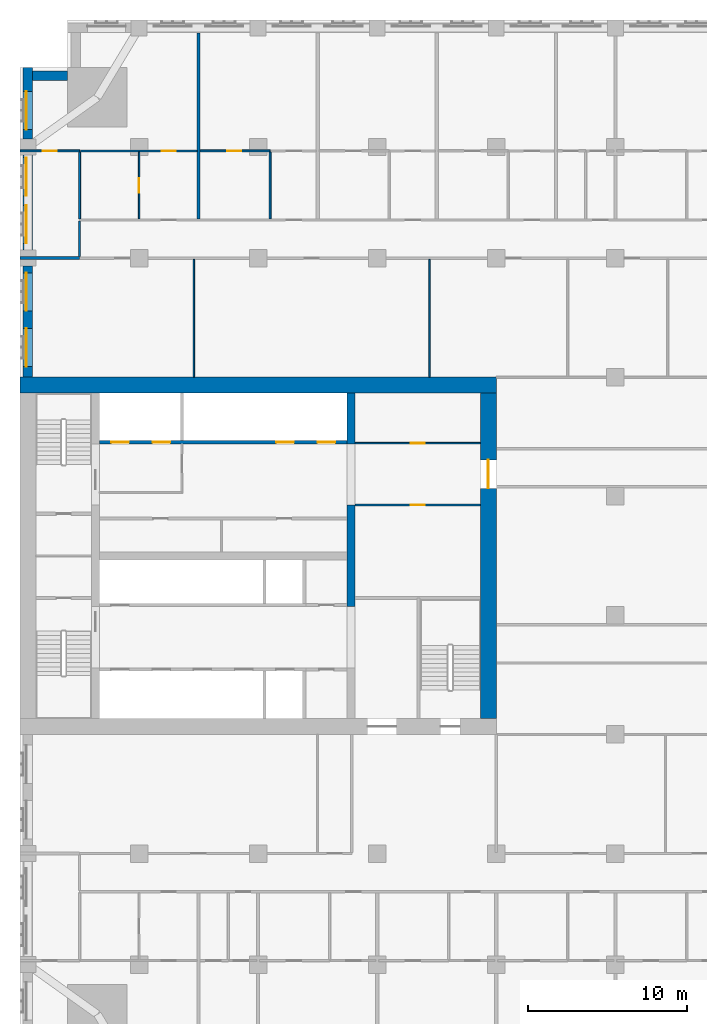
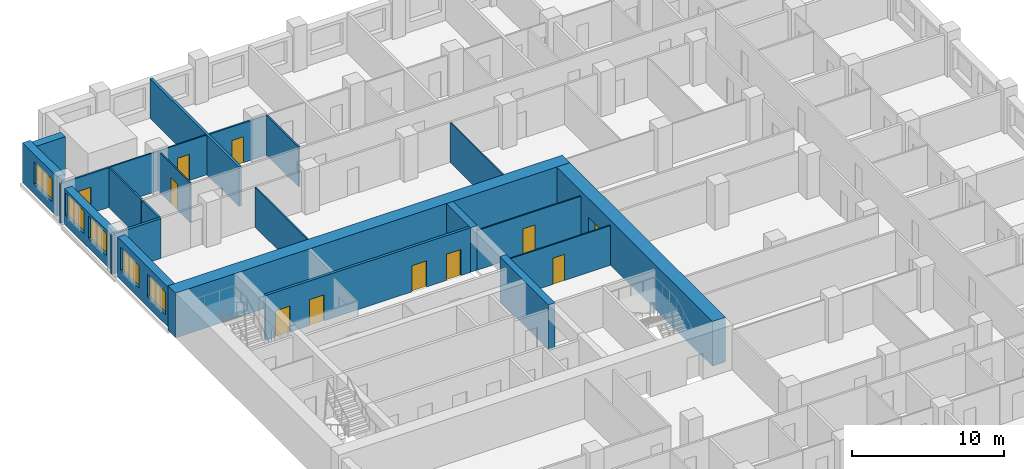
# One storey, part 8 of 14: 22 walls, 11 doors, 5 windows, 16 openings.
"""IFC4 building model written with IfcOpenShell, lengths in metres."""

from ifc_helpers import new_model, si_unit, direction, frame, frame_2d, origin, place, context, subcontext, project, spatial, rectangle, extrude, material, layer, layer_set, type_object, element, fill, save


model = new_model("IFC4")

# Units and contexts
model_context = context("Model", 3, precision=1e-05, world=origin(), true_north=direction((0.0, 1.0)))
body_context = subcontext(model_context, "Body", "Model", "MODEL_VIEW")
ifc_project = project(units=[si_unit("LENGTHUNIT", "METRE"), si_unit("AREAUNIT", "SQUARE_METRE"), si_unit("VOLUMEUNIT", "CUBIC_METRE"), si_unit("PLANEANGLEUNIT", "RADIAN"), si_unit("MASSUNIT", "GRAM", prefix="KILO")], contexts=[model_context])

# Site, building, storey
site_placement = place(None, origin())
site = spatial("IfcSite", under=ifc_project, at=site_placement, CompositionType="ELEMENT")
building_placement = place(site_placement, origin())
building = spatial("IfcBuilding", under=site, at=building_placement, Name="Tamorin Gate", CompositionType="ELEMENT")
storey_placement = place(building_placement, frame((0.0, 0.0, 115.10009765625)))
storey = spatial("IfcBuildingStorey", under=building, at=storey_placement, Name="L28", CompositionType="ELEMENT", Elevation=115.10009765625)

# Wall
ifc_material_1 = material(Name="Precast concrete C40/50", Category="concrete")
ifc_layer_1 = layer(ifc_material_1, 0.60009765625)
ifc_layer_set_1 = layer_set([ifc_layer_1], Name="Precast concrete C40/50")
wall_type_1 = type_object("IfcWallType", Name="Board-marked concrete facade panel 600", PredefinedType="SOLIDWALL", material=ifc_layer_set_1)
wall_1_placement = place(storey_placement, frame((33.0, 101.5, 0.0), z_axis=(0.0, 0.0, 1.0), x_axis=(-1.0, 0.0, 0.0)))
element("IfcWall", 1, at=wall_1_placement, inside=storey, type_object=wall_type_1, Name="Facade panel", PredefinedType="SOLIDWALL", context=body_context, shape_type="SweptSolid", body=[
    extrude(rectangle(XDim=2.199951171875, YDim=0.60009765625, at=frame_2d((1.10009765625, 0.0))), origin(), (0.0, 0.0, 1.0), 3.199951171875),
])

# Wall, opening, window
wall_2_placement = place(storey_placement, frame((30.5, 102.0, 0.0), z_axis=(0.0, 0.0, 1.0), x_axis=(0.0, -1.0, 0.0)))
wall_2 = element("IfcWall", 2, at=wall_2_placement, inside=storey, type_object=wall_type_1, Name="Facade panel", PredefinedType="SOLIDWALL", context=body_context, shape_type="SweptSolid", body=[
    extrude(rectangle(XDim=4.5, YDim=0.60009765625, at=frame_2d((2.25, 0.0))), origin(), (0.0, 0.0, 1.0), 3.199951171875),
])
opening_1_placement = place(wall_2_placement, frame((1.5, 0.0, 0.800048828125)))
opening_1 = element("IfcOpeningElement", 3, at=opening_1_placement, cuts=wall_2, Name="Opening WN1", PredefinedType="OPENING", context=body_context, shape_type="SweptSolid", body=[
    extrude(rectangle(XDim=2.39990234375, YDim=1.800048828125, at=frame_2d((1.199951171875, 0.89990234375))), frame((0.0, 0.31005859375, 0.0), z_axis=(0.0, -1.0, 0.0), x_axis=(1.0, 0.0, 0.0)), (0.0, 0.0, 1.0), 0.6201171875),
])
ifc_material_2 = material(Name="Clear glass in aluminium frame", Category="aluminium")
window_type = type_object("IfcWindowType", Name="Deep-set window 2400x1800", PartitioningType="SINGLE_PANEL", PredefinedType="WINDOW", material=ifc_material_2)
window_1_placement = place(opening_1_placement, origin())
window_1 = element("IfcWindow", 4, at=window_1_placement, inside=storey, type_object=window_type, Name="Deep-set window", OverallHeight=1.800048828125, OverallWidth=2.39990234375, PartitioningType="SINGLE_PANEL", PredefinedType="WINDOW", context=body_context, shape_type="SweptSolid", body=[
    extrude(rectangle(XDim=2.39990234375, YDim=1.800048828125, at=frame_2d((1.199951171875, 0.89990234375))), frame((0.0, -0.070068359375, 0.0), z_axis=(0.0, -1.0, 0.0), x_axis=(1.0, 0.0, 0.0)), (0.0, 0.0, 1.0), 0.06005859375),
])
fill(opening_1, window_1)

# Wall, openings, windows
wall_3_placement = place(storey_placement, frame((30.5, 96.5, 0.0), z_axis=(0.0, 0.0, 1.0), x_axis=(0.0, -1.0, 0.0)))
wall_3 = element("IfcWall", 5, at=wall_3_placement, inside=storey, type_object=wall_type_1, Name="Facade panel", PredefinedType="SOLIDWALL", context=body_context, shape_type="SweptSolid", body=[
    extrude(rectangle(XDim=6.0, YDim=0.60009765625, at=frame_2d((3.0, 0.0))), origin(), (0.0, 0.0, 1.0), 2.849853515625),
])
opening_2_placement = place(wall_3_placement, frame((3.175048828125, 0.0, 0.800048828125)))
opening_2 = element("IfcOpeningElement", 6, at=opening_2_placement, cuts=wall_3, Name="Opening WN1", PredefinedType="OPENING", context=body_context, shape_type="SweptSolid", body=[
    extrude(rectangle(XDim=2.39990234375, YDim=1.800048828125, at=frame_2d((1.199951171875, 0.89990234375))), frame((0.0, 0.31005859375, 0.0), z_axis=(0.0, -1.0, 0.0), x_axis=(1.0, 0.0, 0.0)), (0.0, 0.0, 1.0), 0.6201171875),
])
opening_3_placement = place(wall_3_placement, frame((0.175048828125, 0.0, 0.800048828125)))
opening_3 = element("IfcOpeningElement", 7, at=opening_3_placement, cuts=wall_3, Name="Opening WN1", PredefinedType="OPENING", context=body_context, shape_type="SweptSolid", body=[
    extrude(rectangle(XDim=2.39990234375, YDim=1.800048828125, at=frame_2d((1.199951171875, 0.89990234375))), frame((0.0, 0.31005859375, 0.0), z_axis=(0.0, -1.0, 0.0), x_axis=(1.0, 0.0, 0.0)), (0.0, 0.0, 1.0), 0.6201171875),
])
window_2_placement = place(opening_2_placement, origin())
window_2 = element("IfcWindow", 8, at=window_2_placement, inside=storey, type_object=window_type, Name="Deep-set window", OverallHeight=1.800048828125, OverallWidth=2.39990234375, PartitioningType="SINGLE_PANEL", PredefinedType="WINDOW", context=body_context, shape_type="SweptSolid", body=[
    extrude(rectangle(XDim=2.39990234375, YDim=1.800048828125, at=frame_2d((1.199951171875, 0.89990234375))), frame((0.0, -0.070068359375, 0.0), z_axis=(0.0, -1.0, 0.0), x_axis=(1.0, 0.0, 0.0)), (0.0, 0.0, 1.0), 0.06005859375),
])
fill(opening_2, window_2)
window_3_placement = place(opening_3_placement, origin())
window_3 = element("IfcWindow", 9, at=window_3_placement, inside=storey, type_object=window_type, Name="Deep-set window", OverallHeight=1.800048828125, OverallWidth=2.39990234375, PartitioningType="SINGLE_PANEL", PredefinedType="WINDOW", context=body_context, shape_type="SweptSolid", body=[
    extrude(rectangle(XDim=2.39990234375, YDim=1.800048828125, at=frame_2d((1.199951171875, 0.89990234375))), frame((0.0, -0.070068359375, 0.0), z_axis=(0.0, -1.0, 0.0), x_axis=(1.0, 0.0, 0.0)), (0.0, 0.0, 1.0), 0.06005859375),
])
fill(opening_3, window_3)

wall_4_placement = place(storey_placement, frame((30.5, 89.5, 0.0), z_axis=(0.0, 0.0, 1.0), x_axis=(0.0, -1.0, 0.0)))
wall_4 = element("IfcWall", 10, at=wall_4_placement, inside=storey, type_object=wall_type_1, Name="Facade panel", PredefinedType="SOLIDWALL", context=body_context, shape_type="SweptSolid", body=[
    extrude(rectangle(XDim=7.0, YDim=0.60009765625, at=frame_2d((3.5, 0.0))), origin(), (0.0, 0.0, 1.0), 3.199951171875),
])
opening_4_placement = place(wall_4_placement, frame((3.925048828125, 0.0, 0.800048828125)))
opening_4 = element("IfcOpeningElement", 11, at=opening_4_placement, cuts=wall_4, Name="Opening WN1", PredefinedType="OPENING", context=body_context, shape_type="SweptSolid", body=[
    extrude(rectangle(XDim=2.39990234375, YDim=1.800048828125, at=frame_2d((1.199951171875, 0.89990234375))), frame((0.0, 0.31005859375, 0.0), z_axis=(0.0, -1.0, 0.0), x_axis=(1.0, 0.0, 0.0)), (0.0, 0.0, 1.0), 0.6201171875),
])
opening_5_placement = place(wall_4_placement, frame((0.425048828125, 0.0, 0.800048828125)))
opening_5 = element("IfcOpeningElement", 12, at=opening_5_placement, cuts=wall_4, Name="Opening WN1", PredefinedType="OPENING", context=body_context, shape_type="SweptSolid", body=[
    extrude(rectangle(XDim=2.39990234375, YDim=1.800048828125, at=frame_2d((1.199951171875, 0.89990234375))), frame((0.0, 0.31005859375, 0.0), z_axis=(0.0, -1.0, 0.0), x_axis=(1.0, 0.0, 0.0)), (0.0, 0.0, 1.0), 0.6201171875),
])
window_4_placement = place(opening_4_placement, origin())
window_4 = element("IfcWindow", 13, at=window_4_placement, inside=storey, type_object=window_type, Name="Deep-set window", OverallHeight=1.800048828125, OverallWidth=2.39990234375, PartitioningType="SINGLE_PANEL", PredefinedType="WINDOW", context=body_context, shape_type="SweptSolid", body=[
    extrude(rectangle(XDim=2.39990234375, YDim=1.800048828125, at=frame_2d((1.199951171875, 0.89990234375))), frame((0.0, -0.070068359375, 0.0), z_axis=(0.0, -1.0, 0.0), x_axis=(1.0, 0.0, 0.0)), (0.0, 0.0, 1.0), 0.06005859375),
])
fill(opening_4, window_4)
window_5_placement = place(opening_5_placement, origin())
window_5 = element("IfcWindow", 14, at=window_5_placement, inside=storey, type_object=window_type, Name="Deep-set window", OverallHeight=1.800048828125, OverallWidth=2.39990234375, PartitioningType="SINGLE_PANEL", PredefinedType="WINDOW", context=body_context, shape_type="SweptSolid", body=[
    extrude(rectangle(XDim=2.39990234375, YDim=1.800048828125, at=frame_2d((1.199951171875, 0.89990234375))), frame((0.0, -0.070068359375, 0.0), z_axis=(0.0, -1.0, 0.0), x_axis=(1.0, 0.0, 0.0)), (0.0, 0.0, 1.0), 0.06005859375),
])
fill(opening_5, window_5)

# Walls
ifc_material_3 = material(Name="Gypsum board partition")
ifc_layer_2 = layer(ifc_material_3, 0.14990234375)
ifc_layer_set_2 = layer_set([ifc_layer_2], Name="Corridor wall 150")
wall_type_2 = type_object("IfcWallType", Name="Corridor wall 150", PredefinedType="PARTITIONING", material=ifc_layer_set_2)
wall_5_placement = place(storey_placement, frame((33.75, 90.10009765625, 0.0), z_axis=(0.0, 0.0, 1.0), x_axis=(0.0, 1.0, 0.0)))
element("IfcWall", 15, at=wall_5_placement, inside=storey, type_object=wall_type_2, Name="Corridor wall 150", PredefinedType="PARTITIONING", context=body_context, shape_type="SweptSolid", body=[
    extrude(rectangle(XDim=2.224853515625, YDim=0.14990234375, at=frame_2d((1.1123046875, 0.0))), origin(), (0.0, 0.0, 1.0), 3.199951171875),
])
ifc_layer_3 = layer(ifc_material_3, 0.199951171875)
ifc_layer_set_3 = layer_set([ifc_layer_3], Name="Demising wall 200")
wall_type_3 = type_object("IfcWallType", Name="Demising wall 200", PredefinedType="PARTITIONING", material=ifc_layer_set_3)
wall_6_placement = place(storey_placement, frame((30.0, 90.0, 0.0), z_axis=(0.0, 0.0, 1.0), x_axis=(1.0, 0.0, 0.0)))
element("IfcWall", 16, at=wall_6_placement, inside=storey, type_object=wall_type_3, Name="Demising wall 200", PredefinedType="PARTITIONING", context=body_context, shape_type="SweptSolid", body=[
    extrude(rectangle(XDim=3.75, YDim=0.199951171875, at=frame_2d((1.875, 0.0))), origin(), (0.0, 0.0, 1.0), 3.199951171875),
])
wall_7_placement = place(storey_placement, frame((41.25, 92.47509765625, 0.0), z_axis=(0.0, 0.0, 1.0), x_axis=(0.0, 1.0, 0.0)))
element("IfcWall", 17, at=wall_7_placement, inside=storey, type_object=wall_type_3, Name="Demising wall 200", PredefinedType="PARTITIONING", context=body_context, shape_type="SweptSolid", body=[
    extrude(rectangle(XDim=11.71484375, YDim=0.199951171875, at=frame_2d((5.857421875, 0.0))), origin(), (0.0, 0.0, 1.0), 3.199951171875),
])

# Wall, openings, doors
ifc_material_4 = material(Name="Concrete C32/40", Category="concrete")
ifc_layer_4 = layer(ifc_material_4, 0.199951171875)
ifc_layer_set_4 = layer_set([ifc_layer_4], Name="Lift lobby face wall 200 EI 120")
wall_type_4 = type_object("IfcWallType", Name="Lift lobby face wall 200 EI 120", PredefinedType="SOLIDWALL", material=ifc_layer_set_4)
wall_8_placement = place(storey_placement, frame((35.0, 78.39990234375, 0.0), z_axis=(0.0, 0.0, 1.0), x_axis=(1.0, 0.0, 0.0)))
wall_8 = element("IfcWall", 18, at=wall_8_placement, inside=storey, type_object=wall_type_4, Name="Lift lobby face wall", PredefinedType="SOLIDWALL", context=body_context, shape_type="SweptSolid", body=[
    extrude(rectangle(XDim=15.60009765625, YDim=0.199951171875, at=frame_2d((7.800048828125, 0.0))), origin(), (0.0, 0.0, 1.0), 3.599853515625),
])
opening_6_placement = place(wall_8_placement, frame((0.75, 0.0, 0.0)))
opening_6 = element("IfcOpeningElement", 19, at=opening_6_placement, cuts=wall_8, Name="Opening LD17", PredefinedType="OPENING", context=body_context, shape_type="SweptSolid", body=[
    extrude(rectangle(XDim=1.10009765625, YDim=2.10009765625, at=frame_2d((0.550048828125, 1.050048828125))), frame((0.0, 0.10986328125, 0.0), z_axis=(0.0, -1.0, 0.0), x_axis=(1.0, 0.0, 0.0)), (0.0, 0.0, 1.0), 0.219970703125),
])
opening_7_placement = place(wall_8_placement, frame((3.35009765625, 0.0, 0.0)))
opening_7 = element("IfcOpeningElement", 20, at=opening_7_placement, cuts=wall_8, Name="Opening LD18", PredefinedType="OPENING", context=body_context, shape_type="SweptSolid", body=[
    extrude(rectangle(XDim=1.10009765625, YDim=2.10009765625, at=frame_2d((0.550048828125, 1.050048828125))), frame((0.0, 0.10986328125, 0.0), z_axis=(0.0, -1.0, 0.0), x_axis=(1.0, 0.0, 0.0)), (0.0, 0.0, 1.0), 0.219970703125),
])
opening_8_placement = place(wall_8_placement, frame((11.14990234375, 0.0, 0.0)))
opening_8 = element("IfcOpeningElement", 21, at=opening_8_placement, cuts=wall_8, Name="Opening LD21", PredefinedType="OPENING", context=body_context, shape_type="SweptSolid", body=[
    extrude(rectangle(XDim=1.10009765625, YDim=2.10009765625, at=frame_2d((0.550048828125, 1.050048828125))), frame((0.0, 0.10986328125, 0.0), z_axis=(0.0, -1.0, 0.0), x_axis=(1.0, 0.0, 0.0)), (0.0, 0.0, 1.0), 0.219970703125),
])
opening_9_placement = place(wall_8_placement, frame((13.75, 0.0, 0.0)))
opening_9 = element("IfcOpeningElement", 22, at=opening_9_placement, cuts=wall_8, Name="Opening LD22", PredefinedType="OPENING", context=body_context, shape_type="SweptSolid", body=[
    extrude(rectangle(XDim=1.10009765625, YDim=2.10009765625, at=frame_2d((0.550048828125, 1.050048828125))), frame((0.0, 0.10986328125, 0.0), z_axis=(0.0, -1.0, 0.0), x_axis=(1.0, 0.0, 0.0)), (0.0, 0.0, 1.0), 0.219970703125),
])
ifc_material_5 = material(Name="Stainless steel sliding door", Category="steel")
door_type_1 = type_object("IfcDoorType", Name="Lift landing door 1100 x 2100 E 90", OperationType="DOUBLE_DOOR_SLIDING", PredefinedType="DOOR", material=ifc_material_5)
door_1_placement = place(opening_6_placement, origin())
door_1 = element("IfcDoor", 23, at=door_1_placement, inside=storey, type_object=door_type_1, Name="FF1 landing door", OperationType="DOUBLE_DOOR_SLIDING", OverallHeight=2.10009765625, OverallWidth=1.10009765625, PredefinedType="DOOR", context=body_context, shape_type="SweptSolid", body=[
    extrude(rectangle(XDim=1.10009765625, YDim=2.10009765625, at=frame_2d((0.550048828125, 1.050048828125))), frame((0.0, 0.02490234375, 0.0), z_axis=(0.0, -1.0, 0.0), x_axis=(1.0, 0.0, 0.0)), (0.0, 0.0, 1.0), 0.050048828125),
])
fill(opening_6, door_1)
door_2_placement = place(opening_7_placement, origin())
door_2 = element("IfcDoor", 24, at=door_2_placement, inside=storey, type_object=door_type_1, Name="FF2 landing door", OperationType="DOUBLE_DOOR_SLIDING", OverallHeight=2.10009765625, OverallWidth=1.10009765625, PredefinedType="DOOR", context=body_context, shape_type="SweptSolid", body=[
    extrude(rectangle(XDim=1.10009765625, YDim=2.10009765625, at=frame_2d((0.550048828125, 1.050048828125))), frame((0.0, 0.02490234375, 0.0), z_axis=(0.0, -1.0, 0.0), x_axis=(1.0, 0.0, 0.0)), (0.0, 0.0, 1.0), 0.050048828125),
])
fill(opening_7, door_2)
door_3_placement = place(opening_8_placement, origin())
door_3 = element("IfcDoor", 25, at=door_3_placement, inside=storey, type_object=door_type_1, Name="SV1 landing door", OperationType="DOUBLE_DOOR_SLIDING", OverallHeight=2.10009765625, OverallWidth=1.10009765625, PredefinedType="DOOR", context=body_context, shape_type="SweptSolid", body=[
    extrude(rectangle(XDim=1.10009765625, YDim=2.10009765625, at=frame_2d((0.550048828125, 1.050048828125))), frame((0.0, 0.02490234375, 0.0), z_axis=(0.0, -1.0, 0.0), x_axis=(1.0, 0.0, 0.0)), (0.0, 0.0, 1.0), 0.050048828125),
])
fill(opening_8, door_3)
door_4_placement = place(opening_9_placement, origin())
door_4 = element("IfcDoor", 26, at=door_4_placement, inside=storey, type_object=door_type_1, Name="SV2 landing door", OperationType="DOUBLE_DOOR_SLIDING", OverallHeight=2.10009765625, OverallWidth=1.10009765625, PredefinedType="DOOR", context=body_context, shape_type="SweptSolid", body=[
    extrude(rectangle(XDim=1.10009765625, YDim=2.10009765625, at=frame_2d((0.550048828125, 1.050048828125))), frame((0.0, 0.02490234375, 0.0), z_axis=(0.0, -1.0, 0.0), x_axis=(1.0, 0.0, 0.0)), (0.0, 0.0, 1.0), 0.050048828125),
])
fill(opening_9, door_4)

# Walls
ifc_material_6 = material(Name="Concrete C80/95", Category="concrete")
ifc_layer_5 = layer(ifc_material_6, 0.5)
ifc_layer_set_5 = layer_set([ifc_layer_5], Name="RC core internal wall 500 C80/95")
wall_type_5 = type_object("IfcWallType", Name="RC core internal wall 500 C80/95", PredefinedType="SHEAR", material=ifc_layer_set_5)
wall_9_placement = place(storey_placement, frame((50.85009765625, 68.050048828125, 0.0), z_axis=(0.0, 0.0, 1.0), x_axis=(0.0, 1.0, 0.0)))
element("IfcWall", 27, at=wall_9_placement, inside=storey, type_object=wall_type_5, Name="Core cross wall L28", PredefinedType="SHEAR", context=body_context, shape_type="SweptSolid", body=[
    extrude(rectangle(XDim=6.39990234375, YDim=0.5, at=frame_2d((3.199951171875, 0.0))), origin(), (0.0, 0.0, 1.0), 3.599853515625),
])
wall_10_placement = place(storey_placement, frame((50.85009765625, 78.300048828125, 0.0), z_axis=(0.0, 0.0, 1.0), x_axis=(0.0, 1.0, 0.0)))
element("IfcWall", 28, at=wall_10_placement, inside=storey, type_object=wall_type_5, Name="Core cross wall L28", PredefinedType="SHEAR", context=body_context, shape_type="SweptSolid", body=[
    extrude(rectangle(XDim=3.199951171875, YDim=0.5, at=frame_2d((1.60009765625, 0.0))), origin(), (0.0, 0.0, 1.0), 3.599853515625),
])
ifc_layer_6 = layer(ifc_material_6, 1.0)
ifc_layer_set_6 = layer_set([ifc_layer_6], Name="RC core wall 1000 C80/95")
wall_type_6 = type_object("IfcWallType", Name="RC core wall 1000 C80/95", PredefinedType="SHEAR", material=ifc_layer_set_6)
wall_11_placement = place(storey_placement, frame((30.0, 82.0, 0.0), z_axis=(0.0, 0.0, 1.0), x_axis=(1.0, 0.0, 0.0)))
element("IfcWall", 29, at=wall_11_placement, inside=storey, type_object=wall_type_6, Name="Core wall L28", PredefinedType="SHEAR", context=body_context, shape_type="SweptSolid", body=[
    extrude(rectangle(XDim=30.0, YDim=1.0, at=frame_2d((15.0, 0.0))), origin(), (0.0, 0.0, 1.0), 3.599853515625),
])

# Wall, opening, door
wall_12_placement = place(storey_placement, frame((59.5, 61.0, 0.0), z_axis=(0.0, 0.0, 1.0), x_axis=(0.0, 1.0, 0.0)))
wall_12 = element("IfcWall", 30, at=wall_12_placement, inside=storey, type_object=wall_type_6, Name="Core wall L28", PredefinedType="SHEAR", context=body_context, shape_type="SweptSolid", body=[
    extrude(rectangle(XDim=20.5, YDim=1.0, at=frame_2d((10.25, 0.0))), origin(), (0.0, 0.0, 1.0), 3.599853515625),
])
opening_10_placement = place(wall_12_placement, frame((14.5, 0.0, 0.0)))
opening_10 = element("IfcOpeningElement", 31, at=opening_10_placement, cuts=wall_12, Name="Opening DE1", PredefinedType="OPENING", context=body_context, shape_type="SweptSolid", body=[
    extrude(rectangle(XDim=1.800048828125, YDim=2.10009765625, at=frame_2d((0.89990234375, 1.050048828125))), frame((0.0, 0.510009765625, 0.0), z_axis=(0.0, -1.0, 0.0), x_axis=(1.0, 0.0, 0.0)), (0.0, 0.0, 1.0), 1.02001953125),
])
ifc_material_7 = material(Name="Steel fire door", Category="steel")
door_type_2 = type_object("IfcDoorType", Name="Lobby exit double door 1800 x 2100 EI 60", OperationType="DOUBLE_DOOR_SINGLE_SWING", PredefinedType="DOOR", material=ifc_material_7)
door_5_placement = place(opening_10_placement, origin())
door_5 = element("IfcDoor", 32, at=door_5_placement, inside=storey, type_object=door_type_2, Name="Lift lobby B exit door", OperationType="DOUBLE_DOOR_SINGLE_SWING", OverallHeight=2.10009765625, OverallWidth=1.800048828125, PredefinedType="DOOR", context=body_context, shape_type="SweptSolid", body=[
    extrude(rectangle(XDim=1.800048828125, YDim=2.10009765625, at=frame_2d((0.89990234375, 1.050048828125))), frame((0.0, 0.02490234375, 0.0), z_axis=(0.0, -1.0, 0.0), x_axis=(1.0, 0.0, 0.0)), (0.0, 0.0, 1.0), 0.050048828125),
])
fill(opening_10, door_5)

ifc_layer_7 = layer(ifc_material_3, 0.10009765625)
ifc_layer_set_7 = layer_set([ifc_layer_7], Name="Room partition 100")
wall_type_7 = type_object("IfcWallType", Name="Room partition 100", PredefinedType="PARTITIONING", material=ifc_layer_set_7)
wall_13_placement = place(storey_placement, frame((33.8125, 96.75, 0.0), z_axis=(0.0, 0.0, 1.0), x_axis=(1.0, 0.0, 0.0)))
wall_13 = element("IfcWall", 33, at=wall_13_placement, inside=storey, type_object=wall_type_7, Name="Room partition 100", PredefinedType="PARTITIONING", context=body_context, shape_type="SweptSolid", body=[
    extrude(rectangle(XDim=7.33740234375, YDim=0.10009765625, at=frame_2d((3.668701171875, 0.0))), origin(), (0.0, 0.0, 1.0), 3.199951171875),
])
opening_11_placement = place(wall_13_placement, frame((5.112548828125, 0.0, 0.0)))
opening_11 = element("IfcOpeningElement", 34, at=opening_11_placement, cuts=wall_13, Name="Opening DH7023", PredefinedType="OPENING", context=body_context, shape_type="SweptSolid", body=[
    extrude(rectangle(XDim=0.89990234375, YDim=2.10009765625, at=frame_2d((0.449951171875, 1.050048828125))), frame((0.0, 0.06005859375, 0.0), z_axis=(0.0, -1.0, 0.0), x_axis=(1.0, 0.0, 0.0)), (0.0, 0.0, 1.0), 0.1201171875),
])
ifc_material_8 = material(Name="Timber door leaf", Category="wood")
door_type_3 = type_object("IfcDoorType", Name="Door 900 x 2100", OperationType="NOTDEFINED", PredefinedType="DOOR", material=ifc_material_8)
door_6_placement = place(opening_11_placement, origin())
door_6 = element("IfcDoor", 35, at=door_6_placement, inside=storey, type_object=door_type_3, Name="Door DH7023", OperationType="SINGLE_SWING_RIGHT", OverallHeight=2.10009765625, OverallWidth=0.89990234375, PredefinedType="DOOR", context=body_context, shape_type="SweptSolid", body=[
    extrude(rectangle(XDim=0.89990234375, YDim=2.10009765625, at=frame_2d((0.449951171875, 1.050048828125))), frame((0.0, 0.02490234375, 0.0), z_axis=(0.0, -1.0, 0.0), x_axis=(1.0, 0.0, 0.0)), (0.0, 0.0, 1.0), 0.050048828125),
])
fill(opening_11, door_6)

wall_14_placement = place(storey_placement, frame((37.5, 92.47509765625, 0.0), z_axis=(0.0, 0.0, 1.0), x_axis=(0.0, 1.0, 0.0)))
wall_14 = element("IfcWall", 36, at=wall_14_placement, inside=storey, type_object=wall_type_7, Name="Room partition 100", PredefinedType="PARTITIONING", context=body_context, shape_type="SweptSolid", body=[
    extrude(rectangle(XDim=4.224853515625, YDim=0.10009765625, at=frame_2d((2.1123046875, 0.0))), origin(), (0.0, 0.0, 1.0), 3.199951171875),
])
opening_12_placement = place(wall_14_placement, frame((1.64990234375, 0.0, 0.0)))
opening_12 = element("IfcOpeningElement", 37, at=opening_12_placement, cuts=wall_14, Name="Opening DH7021", PredefinedType="OPENING", context=body_context, shape_type="SweptSolid", body=[
    extrude(rectangle(XDim=0.89990234375, YDim=2.10009765625, at=frame_2d((0.449951171875, 1.050048828125))), frame((0.0, 0.06005859375, 0.0), z_axis=(0.0, -1.0, 0.0), x_axis=(1.0, 0.0, 0.0)), (0.0, 0.0, 1.0), 0.1201171875),
])
door_7_placement = place(opening_12_placement, origin())
door_7 = element("IfcDoor", 38, at=door_7_placement, inside=storey, type_object=door_type_3, Name="Door DH7021", OperationType="SINGLE_SWING_RIGHT", OverallHeight=2.10009765625, OverallWidth=0.89990234375, PredefinedType="DOOR", context=body_context, shape_type="SweptSolid", body=[
    extrude(rectangle(XDim=0.89990234375, YDim=2.10009765625, at=frame_2d((0.449951171875, 1.050048828125))), frame((0.0, 0.02490234375, 0.0), z_axis=(0.0, -1.0, 0.0), x_axis=(1.0, 0.0, 0.0)), (0.0, 0.0, 1.0), 0.050048828125),
])
fill(opening_12, door_7)

# Walls
for number, where, z_axis, x_axis, name in (
    (39, (40.949951171875, 82.5, 0.0), (0.0, 0.0, 1.0), (0.0, 1.0, 0.0), "Room partition 100"),
    (40, (55.800048828125, 82.5, 0.0), (0.0, 0.0, 1.0), (0.0, 1.0, 0.0), "Room partition 100"),
):
    element("IfcWall", number, at=place(storey_placement, frame(where, z_axis=z_axis, x_axis=x_axis)), inside=storey, type_object=wall_type_7, Name=name, PredefinedType="PARTITIONING", context=body_context, shape_type="SweptSolid", body=[
        extrude(rectangle(XDim=7.425048828125, YDim=0.10009765625, at=frame_2d((3.71240234375, 0.0))), origin(), (0.0, 0.0, 1.0), 3.199951171875),
    ])

# Wall, opening, door
ifc_layer_8 = layer(ifc_material_3, 0.10009765625)
ifc_layer_set_8 = layer_set([ifc_layer_8], Name="Service room partition 100 EI 60")
wall_type_8 = type_object("IfcWallType", Name="Service room partition 100 EI 60", PredefinedType="PARTITIONING", material=ifc_layer_set_8)
wall_15_placement = place(storey_placement, frame((51.10009765625, 74.449951171875, 0.0), z_axis=(0.0, 0.0, 1.0), x_axis=(1.0, 0.0, 0.0)))
wall_15 = element("IfcWall", 41, at=wall_15_placement, inside=storey, type_object=wall_type_8, Name="Service room wall", PredefinedType="PARTITIONING", context=body_context, shape_type="SweptSolid", body=[
    extrude(rectangle(XDim=7.89990234375, YDim=0.10009765625, at=frame_2d((3.949951171875, 0.0))), origin(), (0.0, 0.0, 1.0), 3.18994140625),
])
opening_13_placement = place(wall_15_placement, frame((3.5, 0.0, 0.0)))
opening_13 = element("IfcOpeningElement", 42, at=opening_13_placement, cuts=wall_15, Name="Opening DR1", PredefinedType="OPENING", context=body_context, shape_type="SweptSolid", body=[
    extrude(rectangle(XDim=0.89990234375, YDim=2.10009765625, at=frame_2d((0.449951171875, 1.050048828125))), frame((0.0, 0.06005859375, 0.0), z_axis=(0.0, -1.0, 0.0), x_axis=(1.0, 0.0, 0.0)), (0.0, 0.0, 1.0), 0.1201171875),
])
door_type_4 = type_object("IfcDoorType", Name="Riser access door 900 x 2100 EI 120", OperationType="SINGLE_SWING_LEFT", PredefinedType="DOOR", material=ifc_material_7)
door_8_placement = place(opening_13_placement, origin())
door_8 = element("IfcDoor", 43, at=door_8_placement, inside=storey, type_object=door_type_4, Name="Duct riser door", OperationType="SINGLE_SWING_RIGHT", OverallHeight=2.10009765625, OverallWidth=0.89990234375, PredefinedType="DOOR", context=body_context, shape_type="SweptSolid", body=[
    extrude(rectangle(XDim=0.89990234375, YDim=2.10009765625, at=frame_2d((0.449951171875, 1.050048828125))), frame((0.0, 0.02490234375, 0.0), z_axis=(0.0, -1.0, 0.0), x_axis=(1.0, 0.0, 0.0)), (0.0, 0.0, 1.0), 0.050048828125),
])
fill(opening_13, door_8)

wall_16_placement = place(storey_placement, frame((51.10009765625, 78.35009765625, 0.0), z_axis=(0.0, 0.0, 1.0), x_axis=(1.0, 0.0, 0.0)))
wall_16 = element("IfcWall", 44, at=wall_16_placement, inside=storey, type_object=wall_type_8, Name="Service room wall", PredefinedType="PARTITIONING", context=body_context, shape_type="SweptSolid", body=[
    extrude(rectangle(XDim=7.89990234375, YDim=0.10009765625, at=frame_2d((3.949951171875, 0.0))), origin(), (0.0, 0.0, 1.0), 3.18994140625),
])
opening_14_placement = place(wall_16_placement, frame((3.5, 0.0, 0.0)))
opening_14 = element("IfcOpeningElement", 45, at=opening_14_placement, cuts=wall_16, Name="Opening DK1", PredefinedType="OPENING", context=body_context, shape_type="SweptSolid", body=[
    extrude(rectangle(XDim=0.89990234375, YDim=2.10009765625, at=frame_2d((0.449951171875, 1.050048828125))), frame((0.0, 0.06005859375, 0.0), z_axis=(0.0, -1.0, 0.0), x_axis=(1.0, 0.0, 0.0)), (0.0, 0.0, 1.0), 0.1201171875),
])
ifc_material_9 = material(Name="Timber fire door", Category="wood")
door_type_5 = type_object("IfcDoorType", Name="Service room door 900 x 2100 EI 60", OperationType="SINGLE_SWING_LEFT", PredefinedType="DOOR", material=ifc_material_9)
door_9_placement = place(opening_14_placement, origin())
door_9 = element("IfcDoor", 46, at=door_9_placement, inside=storey, type_object=door_type_5, Name="Door Housekeeping office", OperationType="SINGLE_SWING_RIGHT", OverallHeight=2.10009765625, OverallWidth=0.89990234375, PredefinedType="DOOR", context=body_context, shape_type="SweptSolid", body=[
    extrude(rectangle(XDim=0.89990234375, YDim=2.10009765625, at=frame_2d((0.449951171875, 1.050048828125))), frame((0.0, 0.02490234375, 0.0), z_axis=(0.0, -1.0, 0.0), x_axis=(1.0, 0.0, 0.0)), (0.0, 0.0, 1.0), 0.050048828125),
])
fill(opening_14, door_9)

ifc_layer_9 = layer(ifc_material_3, 0.125)
ifc_layer_set_9 = layer_set([ifc_layer_9], Name="Wet wall 125")
wall_type_9 = type_object("IfcWallType", Name="Wet wall 125", PredefinedType="PARTITIONING", material=ifc_layer_set_9)
wall_17_placement = place(storey_placement, frame((30.0, 96.75, 0.0), z_axis=(0.0, 0.0, 1.0), x_axis=(1.0, 0.0, 0.0)))
wall_17 = element("IfcWall", 47, at=wall_17_placement, inside=storey, type_object=wall_type_9, Name="Wet wall 125", PredefinedType="PARTITIONING", context=body_context, shape_type="SweptSolid", body=[
    extrude(rectangle(XDim=3.75, YDim=0.125, at=frame_2d((1.875, 0.0))), origin(), (0.0, 0.0, 1.0), 3.199951171875),
])
opening_15_placement = place(wall_17_placement, frame((1.425048828125, 0.0, 0.0)))
opening_15 = element("IfcOpeningElement", 48, at=opening_15_placement, cuts=wall_17, Name="Opening DH7020", PredefinedType="OPENING", context=body_context, shape_type="SweptSolid", body=[
    extrude(rectangle(XDim=0.89990234375, YDim=2.10009765625, at=frame_2d((0.449951171875, 1.050048828125))), frame((0.0, 0.072509765625, 0.0), z_axis=(0.0, -1.0, 0.0), x_axis=(1.0, 0.0, 0.0)), (0.0, 0.0, 1.0), 0.14501953125),
])
door_10_placement = place(opening_15_placement, origin())
door_10 = element("IfcDoor", 49, at=door_10_placement, inside=storey, type_object=door_type_3, Name="Door DH7020", OperationType="SINGLE_SWING_RIGHT", OverallHeight=2.10009765625, OverallWidth=0.89990234375, PredefinedType="DOOR", context=body_context, shape_type="SweptSolid", body=[
    extrude(rectangle(XDim=0.89990234375, YDim=2.10009765625, at=frame_2d((0.449951171875, 1.050048828125))), frame((0.0, 0.02490234375, 0.0), z_axis=(0.0, -1.0, 0.0), x_axis=(1.0, 0.0, 0.0)), (0.0, 0.0, 1.0), 0.050048828125),
])
fill(opening_15, door_10)

wall_18_placement = place(storey_placement, frame((41.35009765625, 96.75, 0.0), z_axis=(0.0, 0.0, 1.0), x_axis=(1.0, 0.0, 0.0)))
wall_18 = element("IfcWall", 50, at=wall_18_placement, inside=storey, type_object=wall_type_9, Name="Wet wall 125", PredefinedType="PARTITIONING", context=body_context, shape_type="SweptSolid", body=[
    extrude(rectangle(XDim=4.39990234375, YDim=0.125, at=frame_2d((2.199951171875, 0.0))), origin(), (0.0, 0.0, 1.0), 3.199951171875),
])
opening_16_placement = place(wall_18_placement, frame((1.699951171875, 0.0, 0.0)))
opening_16 = element("IfcOpeningElement", 51, at=opening_16_placement, cuts=wall_18, Name="Opening DH7024", PredefinedType="OPENING", context=body_context, shape_type="SweptSolid", body=[
    extrude(rectangle(XDim=0.89990234375, YDim=2.10009765625, at=frame_2d((0.449951171875, 1.050048828125))), frame((0.0, 0.072509765625, 0.0), z_axis=(0.0, -1.0, 0.0), x_axis=(1.0, 0.0, 0.0)), (0.0, 0.0, 1.0), 0.14501953125),
])
door_11_placement = place(opening_16_placement, origin())
door_11 = element("IfcDoor", 52, at=door_11_placement, inside=storey, type_object=door_type_3, Name="Door DH7024", OperationType="SINGLE_SWING_RIGHT", OverallHeight=2.10009765625, OverallWidth=0.89990234375, PredefinedType="DOOR", context=body_context, shape_type="SweptSolid", body=[
    extrude(rectangle(XDim=0.89990234375, YDim=2.10009765625, at=frame_2d((0.449951171875, 1.050048828125))), frame((0.0, 0.02490234375, 0.0), z_axis=(0.0, -1.0, 0.0), x_axis=(1.0, 0.0, 0.0)), (0.0, 0.0, 1.0), 0.050048828125),
])
fill(opening_16, door_11)

# Walls
for number, where, z_axis, x_axis, name in (
    (53, (33.75, 92.47509765625, 0.0), (0.0, 0.0, 1.0), (0.0, 1.0, 0.0), "Wet wall 125"),
    (54, (45.75, 92.47509765625, 0.0), (0.0, 0.0, 1.0), (0.0, 1.0, 0.0), "Wet wall 125"),
):
    element("IfcWall", number, at=place(storey_placement, frame(where, z_axis=z_axis, x_axis=x_axis)), inside=storey, type_object=wall_type_9, Name=name, PredefinedType="PARTITIONING", context=body_context, shape_type="SweptSolid", body=[
        extrude(rectangle(XDim=4.21240234375, YDim=0.125, at=frame_2d((2.106201171875, 0.0))), origin(), (0.0, 0.0, 1.0), 3.199951171875),
    ])

save(model, "model.ifc")
